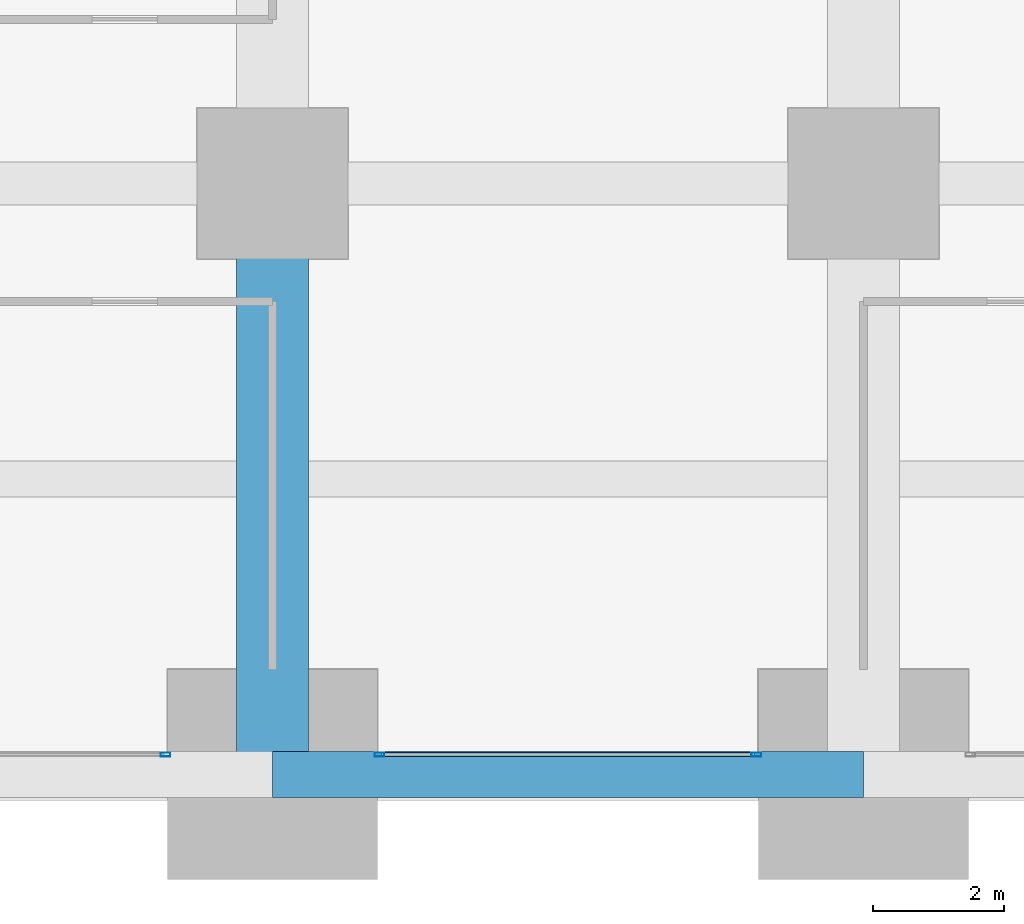
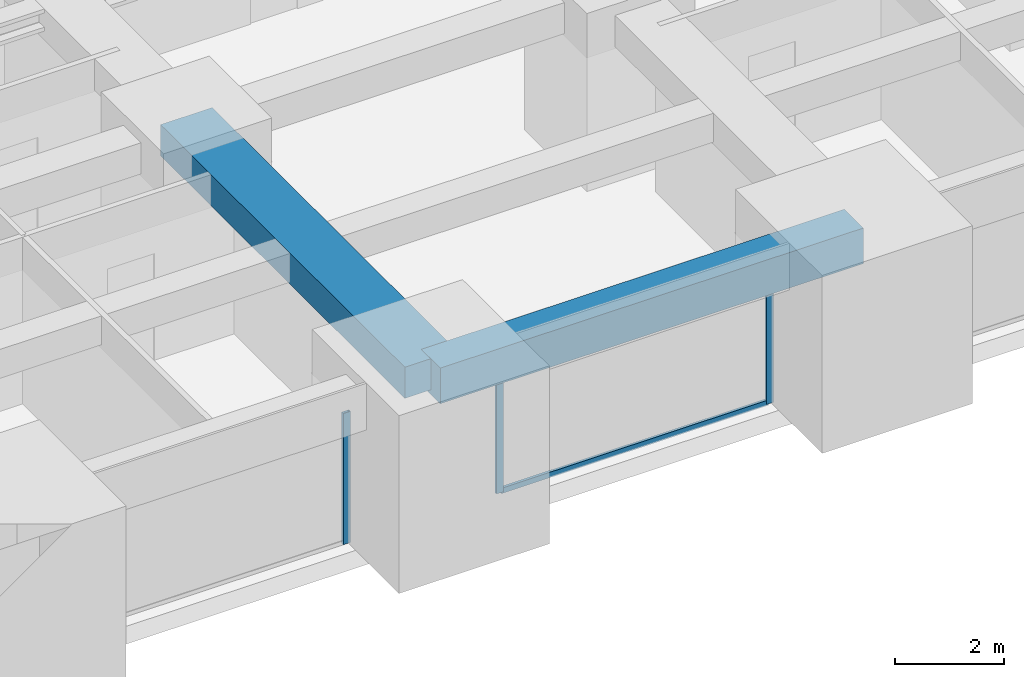
# One storey, part 13 of 50: 4 members, 2 beams, 2 elements without a shape of their own.
"""IFC4 building model written with IfcOpenShell, lengths in metres."""

from ifc_helpers import new_model, si_unit, direction, frame, origin, origin_2d, place, context, subcontext, project, spatial, rectangle, hollow_rectangle, extrude, material, material_profile, profile_set, type_object, element, aggregate, save


model = new_model("IFC4")

# Units and contexts
model_context = context("Model", 3, precision=1e-05, world=origin(), true_north=direction((0.0, 1.0)))
body_context = subcontext(model_context, "Body", "Model", "MODEL_VIEW")
ifc_project = project(units=[si_unit("LENGTHUNIT", "METRE"), si_unit("AREAUNIT", "SQUARE_METRE"), si_unit("VOLUMEUNIT", "CUBIC_METRE"), si_unit("PLANEANGLEUNIT", "RADIAN"), si_unit("MASSUNIT", "GRAM", prefix="KILO")], contexts=[model_context])

# Site, building, storey
site_placement = place(None, origin())
site = spatial("IfcSite", under=ifc_project, at=site_placement, CompositionType="ELEMENT")
building_placement = place(site_placement, origin())
building = spatial("IfcBuilding", under=site, at=building_placement, Name="Zorevar Civic Tower", CompositionType="ELEMENT")
storey_placement = place(building_placement, frame((0.0, 0.0, 85.0)))
storey = spatial("IfcBuildingStorey", under=building, at=storey_placement, Name="L20", CompositionType="ELEMENT", Elevation=85.0)

# Beam
ifc_material_1 = material(Name="Concrete C50/60", Category="concrete")
ifc_material_profile_1 = material_profile(ifc_material_1, rectangle(XDim=1.10009765625, YDim=0.699951171875, at=origin_2d()), Name="RC 1100x700")
ifc_profile_set_1 = profile_set([ifc_material_profile_1], Name="Concrete C50/60")
beam_type_1 = type_object("IfcBeamType", Name="Beam RC 1100x700", PredefinedType="BEAM", material=ifc_profile_set_1)
beam_1_placement = place(storey_placement, frame((36.0, 0.0, 3.39990234375), z_axis=(0.0, 1.0, 0.0), x_axis=(-1.0, 0.0, 0.0)))
element("IfcBeam", 1, at=beam_1_placement, inside=storey, type_object=beam_type_1, Name="Girder L21", PredefinedType="BEAM", context=body_context, shape_type="SweptSolid", body=[
    extrude(rectangle(XDim=1.10009765625, YDim=0.699951171875, at=origin_2d()), origin(), (0.0, 0.0, 1.0), 9.0),
])

# Curtain wall, member
ifc_material_2 = material(Name="Dark grey solar-control glass in black aluminium frame", Category="aluminium")
curtain_wall_type = type_object("IfcCurtainWallType", Name="Curtain wall CW3 mid zone", PredefinedType="NOTDEFINED", material=ifc_material_2)
curtain_wall_1_placement = place(storey_placement, origin())
curtain_wall_1 = element("IfcCurtainWall", 2, at=curtain_wall_1_placement, inside=storey, type_object=curtain_wall_type, Name="CW3 L20", PredefinedType="NOTDEFINED")
ifc_material_3 = material(Name="Aluminium, black anodised", Category="aluminium")
ifc_material_profile_2 = material_profile(ifc_material_3, hollow_rectangle(XDim=0.06005859375, YDim=0.14990234375, WallThickness=0.00390625, at=origin_2d()), Name="AL 150x60x4")
ifc_profile_set_2 = profile_set([ifc_material_profile_2], Name="Aluminium, black anodised")
member_type_1 = type_object("IfcMemberType", Name="CW3 mullion AL 150x60x4", PredefinedType="MULLION", material=ifc_profile_set_2)
member_1_placement = place(storey_placement, frame((34.3701171875, 0.300048828125, 0.0), z_axis=(0.0, 0.0, 1.0), x_axis=(0.0, 1.0, 0.0)))
member_1 = element("IfcMember", 3, at=member_1_placement, type_object=member_type_1, Name="CW3 mullion 2", PredefinedType="MULLION", context=body_context, shape_type="SweptSolid", body=[
    extrude(hollow_rectangle(XDim=0.06005859375, YDim=0.14990234375, WallThickness=0.00390625, at=origin_2d()), origin(), (0.0, 0.0, 1.0), 2.949951171875),
])
aggregate(curtain_wall_1, [member_1])

# Curtain wall, members
curtain_wall_2_placement = place(storey_placement, origin())
curtain_wall_2 = element("IfcCurtainWall", 4, at=curtain_wall_2_placement, inside=storey, type_object=curtain_wall_type, Name="CW3 L20", PredefinedType="NOTDEFINED")
member_2_placement = place(storey_placement, frame((37.6298828125, 0.300048828125, 0.0), z_axis=(0.0, 0.0, 1.0), x_axis=(0.0, 1.0, 0.0)))
member_2 = element("IfcMember", 5, at=member_2_placement, type_object=member_type_1, Name="CW3 mullion 1", PredefinedType="MULLION", context=body_context, shape_type="SweptSolid", body=[
    extrude(hollow_rectangle(XDim=0.06005859375, YDim=0.14990234375, WallThickness=0.00390625, at=origin_2d()), origin(), (0.0, 0.0, 1.0), 2.949951171875),
])
member_3_placement = place(storey_placement, frame((43.3701171875, 0.300048828125, 0.0), z_axis=(0.0, 0.0, 1.0), x_axis=(0.0, 1.0, 0.0)))
member_3 = element("IfcMember", 6, at=member_3_placement, type_object=member_type_1, Name="CW3 mullion 2", PredefinedType="MULLION", context=body_context, shape_type="SweptSolid", body=[
    extrude(hollow_rectangle(XDim=0.06005859375, YDim=0.14990234375, WallThickness=0.00390625, at=origin_2d()), origin(), (0.0, 0.0, 1.0), 2.949951171875),
])
ifc_material_4 = material(Name="Aluminium, black anodised", Category="aluminium")
ifc_material_profile_3 = material_profile(ifc_material_4, hollow_rectangle(XDim=0.06005859375, YDim=0.1201171875, WallThickness=0.0029296875, at=origin_2d()), Name="AL 120x60x3")
ifc_profile_set_3 = profile_set([ifc_material_profile_3], Name="Aluminium, black anodised")
member_type_2 = type_object("IfcMemberType", Name="CW3 transom AL 120x60x3", PredefinedType="USERDEFINED", material=ifc_profile_set_3)
member_4_placement = place(storey_placement, frame((37.659912109375, 0.300048828125, 0.030029296875), z_axis=(1.0, 0.0, 0.0), x_axis=(0.0, 1.0, 0.0)))
member_4 = element("IfcMember", 7, at=member_4_placement, type_object=member_type_2, Name="CW3 sill transom", ObjectType="TRANSOM", PredefinedType="USERDEFINED", context=body_context, shape_type="SweptSolid", body=[
    extrude(hollow_rectangle(XDim=0.06005859375, YDim=0.1201171875, WallThickness=0.0029296875, at=origin_2d()), origin(), (0.0, 0.0, 1.0), 5.68017578125),
])
aggregate(curtain_wall_2, [member_2, member_3, member_4])

# Beam
ifc_material_5 = material(Name="Concrete C50/60", Category="concrete")
ifc_material_profile_4 = material_profile(ifc_material_5, rectangle(XDim=0.699951171875, YDim=0.800048828125, at=origin_2d()), Name="RC 700x800")
ifc_profile_set_4 = profile_set([ifc_material_profile_4], Name="Concrete C50/60")
beam_type_2 = type_object("IfcBeamType", Name="Edge beam RC 700x800", PredefinedType="SPANDREL", material=ifc_profile_set_4)
beam_2_placement = place(storey_placement, frame((36.0, 0.0, 3.35009765625), z_axis=(1.0, 0.0, 0.0), x_axis=(0.0, 1.0, 0.0)))
element("IfcBeam", 8, at=beam_2_placement, inside=storey, type_object=beam_type_2, Name="Edge beam L21", PredefinedType="SPANDREL", context=body_context, shape_type="SweptSolid", body=[
    extrude(rectangle(XDim=0.699951171875, YDim=0.800048828125, at=origin_2d()), origin(), (0.0, 0.0, 1.0), 9.0),
])

save(model, "model.ifc")
